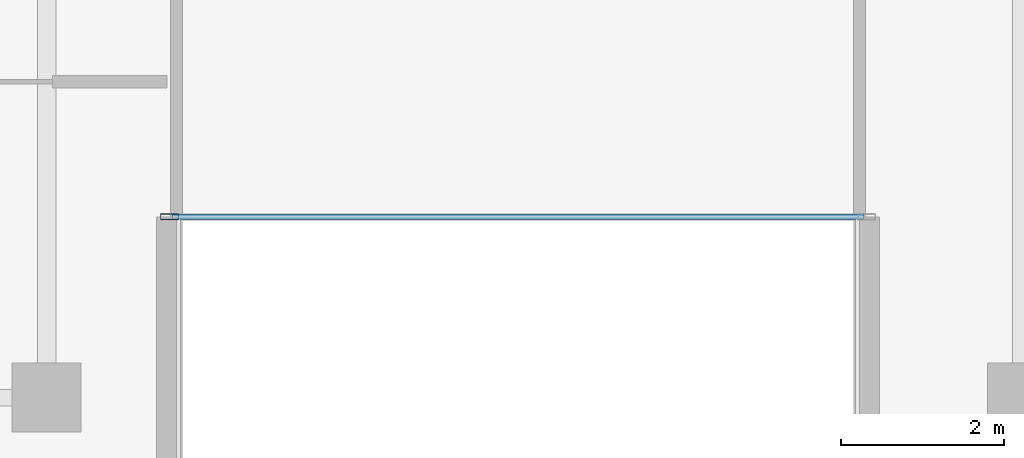
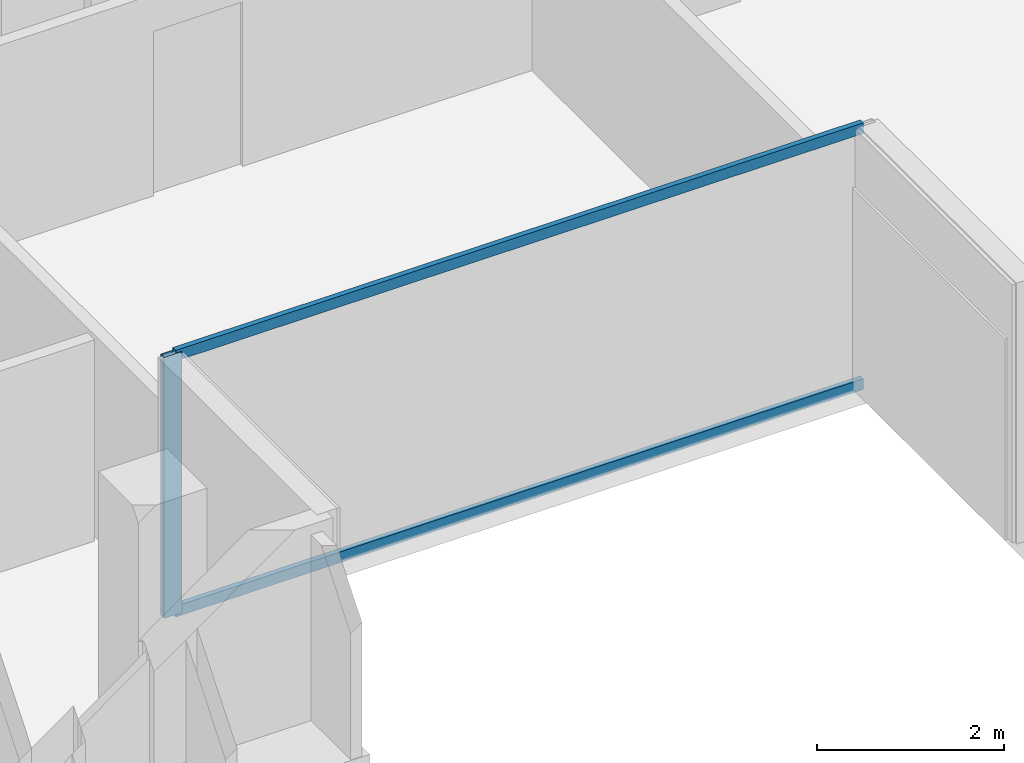
# One storey, part 4 of 30: 3 members, 1 element without a shape of its own.
"""IFC4 building model written with IfcOpenShell, lengths in metres."""

from ifc_helpers import new_model, si_unit, direction, frame, origin, origin_2d, place, context, subcontext, project, spatial, hollow_rectangle, extrude, material, layer, layer_set, material_profile, profile_set, type_object, element, aggregate, save


model = new_model("IFC4")

# Units and contexts
model_context = context("Model", 3, precision=1e-05, world=origin(), true_north=direction((0.0, 1.0)))
body_context = subcontext(model_context, "Body", "Model", "MODEL_VIEW")
ifc_project = project(units=[si_unit("LENGTHUNIT", "METRE"), si_unit("AREAUNIT", "SQUARE_METRE"), si_unit("VOLUMEUNIT", "CUBIC_METRE"), si_unit("PLANEANGLEUNIT", "RADIAN"), si_unit("MASSUNIT", "GRAM", prefix="KILO")], contexts=[model_context])

# Site, building, storey
site_placement = place(None, origin())
site = spatial("IfcSite", under=ifc_project, at=site_placement, CompositionType="ELEMENT")
building_placement = place(site_placement, origin())
building = spatial("IfcBuilding", under=site, at=building_placement, Name="Tanjung Sevakor Pilgrim Tower", CompositionType="ELEMENT")
storey_placement = place(building_placement, frame((0.0, 0.0, 165.659912109375)))
storey = spatial("IfcBuildingStorey", under=building, at=storey_placement, Name="L46", CompositionType="ELEMENT", Elevation=165.659912109375)

# Curtain wall, members
ifc_material_1 = material(Name="Aluminium 6063-T6 and Low-E Glass", Category="aluminium")
ifc_layer = layer(ifc_material_1, 0.179931640625)
ifc_layer_set = layer_set([ifc_layer], Name="CW-SYS-CLEFT")
curtain_wall_type = type_object("IfcCurtainWallType", Name="CW-SYS-CLEFT", PredefinedType="NOTDEFINED", material=ifc_layer_set)
curtain_wall_placement = place(storey_placement, origin())
curtain_wall = element("IfcCurtainWall", 1, at=curtain_wall_placement, inside=storey, type_object=curtain_wall_type, Name="L46 Curtain Wall CW-CLF-L46-2", PredefinedType="NOTDEFINED")
ifc_material_2 = material(Name="Aluminium 6063-T6", Category="aluminium")
ifc_material_profile_1 = material_profile(ifc_material_2, hollow_rectangle(XDim=0.074951171875, YDim=0.219970703125, WallThickness=0.0048828125, at=origin_2d()))
ifc_profile_set_1 = profile_set([ifc_material_profile_1], Name="Aluminium 6063-T6")
member_type_1 = type_object("IfcMemberType", Name="TYPE-CWM-2", PredefinedType="MULLION", material=ifc_profile_set_1)
member_1_placement = place(storey_placement, frame((43.512451171875, 15.425048828125, 0.0), z_axis=(0.0, 0.0, 1.0), x_axis=(0.0, 1.0, 0.0)))
member_1 = element("IfcMember", 2, at=member_1_placement, type_object=member_type_1, Name="CW-CLF mullion 1", PredefinedType="MULLION", context=body_context, shape_type="SweptSolid", body=[
    extrude(hollow_rectangle(XDim=0.074951171875, YDim=0.219970703125, WallThickness=0.0048828125, at=origin_2d()), origin(), (0.0, 0.0, 1.0), 3.41015625),
])
ifc_material_3 = material(Name="Aluminium 6063-T6", Category="aluminium")
ifc_material_profile_2 = material_profile(ifc_material_3, hollow_rectangle(XDim=0.06494140625, YDim=0.139892578125, WallThickness=0.00390625, at=origin_2d()))
ifc_profile_set_2 = profile_set([ifc_material_profile_2], Name="Aluminium 6063-T6")
member_type_2 = type_object("IfcMemberType", Name="TYPE-CWT-1", PredefinedType="USERDEFINED", material=ifc_profile_set_2)
member_2_placement = place(storey_placement, frame((43.550048828125, 15.425048828125, 0.032470703125), z_axis=(1.0, 0.0, 0.0), x_axis=(0.0, 1.0, 0.0)))
member_2 = element("IfcMember", 3, at=member_2_placement, type_object=member_type_2, Name="CW-CLF transom 1.1", ObjectType="TRANSOM", PredefinedType="USERDEFINED", context=body_context, shape_type="SweptSolid", body=[
    extrude(hollow_rectangle(XDim=0.06494140625, YDim=0.139892578125, WallThickness=0.00390625, at=origin_2d()), origin(), (0.0, 0.0, 1.0), 8.5),
])
member_3_placement = place(storey_placement, frame((43.550048828125, 15.425048828125, 3.377685546875), z_axis=(1.0, 0.0, 0.0), x_axis=(0.0, 1.0, 0.0)))
member_3 = element("IfcMember", 4, at=member_3_placement, type_object=member_type_2, Name="CW-CLF transom 1.2", ObjectType="TRANSOM", PredefinedType="USERDEFINED", context=body_context, shape_type="SweptSolid", body=[
    extrude(hollow_rectangle(XDim=0.06494140625, YDim=0.139892578125, WallThickness=0.00390625, at=origin_2d()), origin(), (0.0, 0.0, 1.0), 8.5),
])
aggregate(curtain_wall, [member_1, member_2, member_3])

save(model, "model.ifc")
